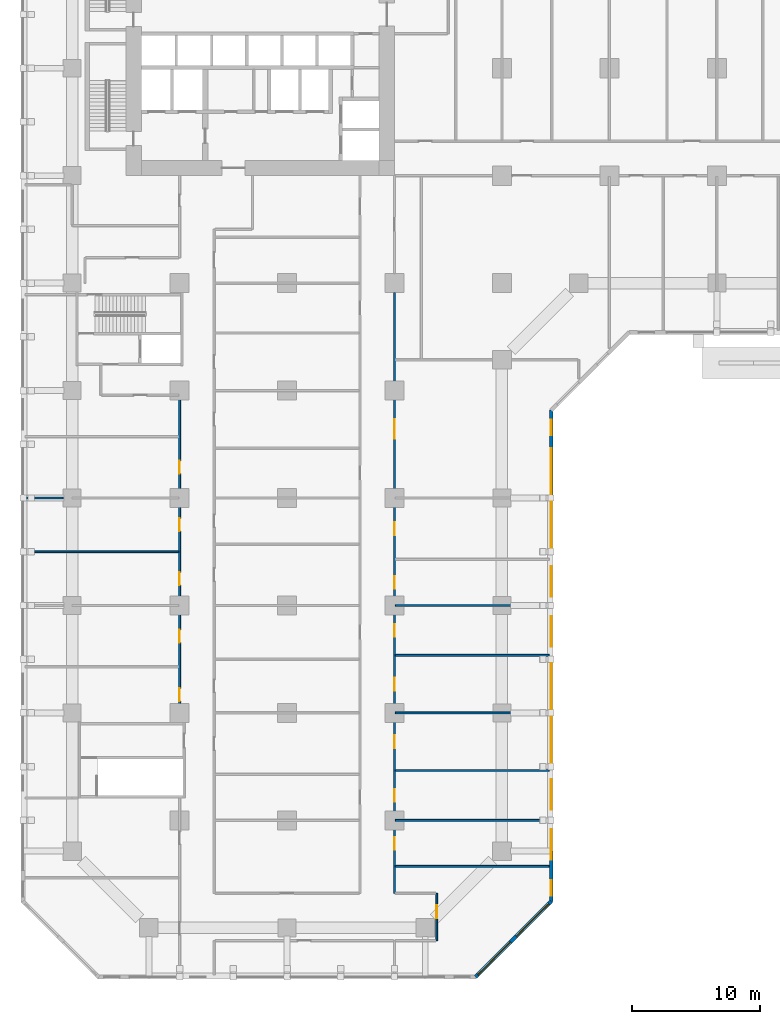
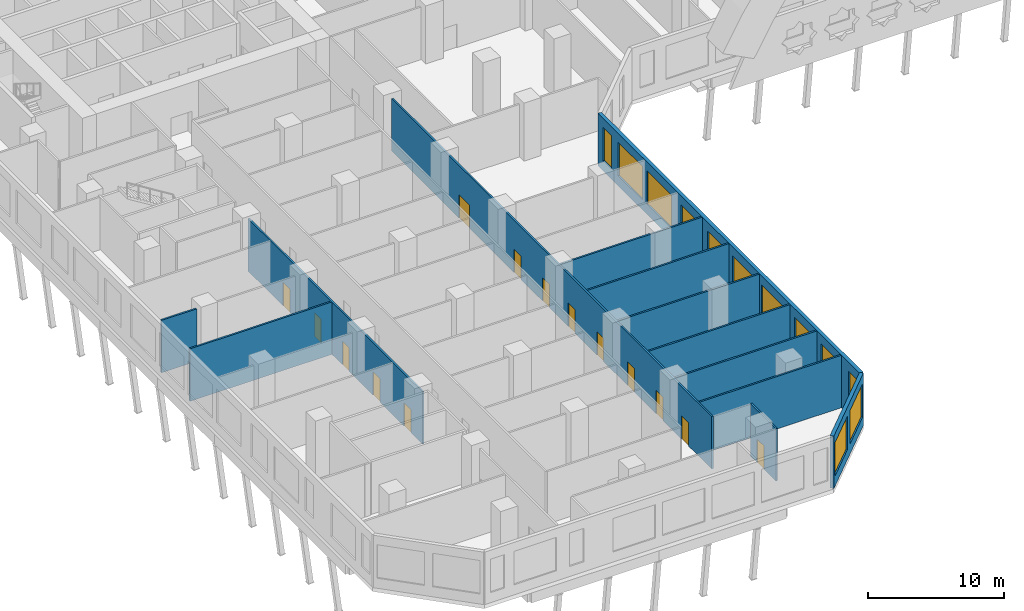
# One storey, part 5 of 25: 14 doors, 13 walls, 12 windows, 26 openings.
"""IFC4 building model written with IfcOpenShell, lengths in metres."""

from ifc_helpers import new_model, si_unit, direction, frame, frame_2d, origin, place, context, subcontext, project, spatial, rectangle, extrude, material, layer, layer_set, type_object, element, fill, save


model = new_model("IFC4")

# Units and contexts
model_context = context("Model", 3, precision=1e-05, world=origin(), true_north=direction((0.0, 1.0)))
body_context = subcontext(model_context, "Body", "Model", "MODEL_VIEW")
ifc_project = project(units=[si_unit("LENGTHUNIT", "METRE"), si_unit("AREAUNIT", "SQUARE_METRE"), si_unit("VOLUMEUNIT", "CUBIC_METRE"), si_unit("PLANEANGLEUNIT", "RADIAN"), si_unit("MASSUNIT", "GRAM", prefix="KILO")], contexts=[model_context])

# Site, building, storey
site_placement = place(None, origin())
site = spatial("IfcSite", under=ifc_project, at=site_placement, CompositionType="ELEMENT")
building_placement = place(site_placement, origin())
building = spatial("IfcBuilding", under=site, at=building_placement, Name="Kawkab Arch Medical Tower", CompositionType="ELEMENT")
storey_placement = place(building_placement, frame((0.0, 0.0, 29.0)))
storey = spatial("IfcBuildingStorey", under=building, at=storey_placement, Name="L06", CompositionType="ELEMENT", Elevation=29.0)

# Walls
ifc_material_1 = material(Name="Gypsum board partition on steel studs, mineral wool", Category="steel")
ifc_layer_1 = layer(ifc_material_1, 0.14990234375)
ifc_layer_set_1 = layer_set([ifc_layer_1], Name="Gypsum board partition on steel studs, mineral wool")
wall_type_1 = type_object("IfcWallType", Name="Partition 150", PredefinedType="PARTITIONING", material=ifc_layer_set_1)
for number, where, z_axis, x_axis, name in (
    (1, (25.27490234375, -79.199951171875, 0.0), (0.0, 0.0, 1.0), (1.0, 0.0, 0.0), "Partition 150 w007"),
    (2, (25.27490234375, -75.60009765625, 0.0), (0.0, 0.0, 1.0), (1.0, 0.0, 0.0), "Partition 150 w009"),
    (3, (25.27490234375, -71.699951171875, 0.0), (0.0, 0.0, 1.0), (1.0, 0.0, 0.0), "Partition 150 w013"),
    (4, (25.27490234375, -67.199951171875, 0.0), (0.0, 0.0, 1.0), (1.0, 0.0, 0.0), "Partition 150 w015"),
    (5, (25.27490234375, -62.699951171875, 0.0), (0.0, 0.0, 1.0), (1.0, 0.0, 0.0), "Partition 150 w018"),
    (6, (25.27490234375, -58.800048828125, 0.0), (0.0, 0.0, 1.0), (1.0, 0.0, 0.0), "Partition 150 w022"),
):
    element("IfcWall", number, at=place(storey_placement, frame(where, z_axis=z_axis, x_axis=x_axis)), inside=storey, type_object=wall_type_1, Name=name, PredefinedType="PARTITIONING", context=body_context, shape_type="SweptSolid", body=[
        extrude(rectangle(XDim=12.005126953125, YDim=0.14990234375, at=frame_2d((6.00244140625, 0.0))), origin(), (0.0, 0.0, 1.0), 4.699951171875),
    ])
wall_1_placement = place(storey_placement, frame((-3.679931640625, -54.60009765625, 0.0), z_axis=(0.0, 0.0, 1.0), x_axis=(1.0, 0.0, 0.0)))
element("IfcWall", 7, at=wall_1_placement, inside=storey, type_object=wall_type_1, Name="Partition 150 w024", PredefinedType="PARTITIONING", context=body_context, shape_type="SweptSolid", body=[
    extrude(rectangle(XDim=12.0048828125, YDim=0.14990234375, at=frame_2d((6.00244140625, 0.0))), origin(), (0.0, 0.0, 1.0), 4.699951171875),
])
wall_2_placement = place(storey_placement, frame((-3.679931640625, -50.39990234375, 0.0), z_axis=(0.0, 0.0, 1.0), x_axis=(1.0, 0.0, 0.0)))
element("IfcWall", 8, at=wall_2_placement, inside=storey, type_object=wall_type_1, Name="Partition 150 w026", PredefinedType="PARTITIONING", context=body_context, shape_type="SweptSolid", body=[
    extrude(rectangle(XDim=2.97998046875, YDim=0.14990234375, at=frame_2d((1.489990234375, 0.0))), origin(), (0.0, 0.0, 1.0), 4.699951171875),
])

# Wall, openings, doors
wall_3_placement = place(storey_placement, frame((8.39990234375, -67.947021484375, 0.0), z_axis=(0.0, 0.0, 1.0), x_axis=(0.0, 1.0, 0.0)))
wall_3 = element("IfcWall", 9, at=wall_3_placement, inside=storey, type_object=wall_type_1, Name="Partition 150 w062", PredefinedType="PARTITIONING", context=body_context, shape_type="SweptSolid", body=[
    extrude(rectangle(XDim=25.596923828125, YDim=0.14990234375, at=frame_2d((12.79833984375, 0.0))), origin(), (0.0, 0.0, 1.0), 4.699951171875),
])
opening_1_placement = place(wall_3_placement, frame((19.447021484375, 0.0, 0.0)))
opening_1 = element("IfcOpeningElement", 10, at=opening_1_placement, cuts=wall_3, Name="Opening P06-047", PredefinedType="OPENING", context=body_context, shape_type="SweptSolid", body=[
    extrude(rectangle(XDim=1.0, YDim=2.10009765625, at=frame_2d((0.5, 1.050048828125))), frame((0.0, 0.0849609375, 0.0), z_axis=(0.0, -1.0, 0.0), x_axis=(1.0, 0.0, 0.0)), (0.0, 0.0, 1.0), 0.169921875),
])
opening_2_placement = place(wall_3_placement, frame((14.947021484375, 0.0, 0.0)))
opening_2 = element("IfcOpeningElement", 11, at=opening_2_placement, cuts=wall_3, Name="Opening P06-048", PredefinedType="OPENING", context=body_context, shape_type="SweptSolid", body=[
    extrude(rectangle(XDim=1.0, YDim=2.10009765625, at=frame_2d((0.5, 1.050048828125))), frame((0.0, 0.0849609375, 0.0), z_axis=(0.0, -1.0, 0.0), x_axis=(1.0, 0.0, 0.0)), (0.0, 0.0, 1.0), 0.169921875),
])
opening_3_placement = place(wall_3_placement, frame((10.7470703125, 0.0, 0.0)))
opening_3 = element("IfcOpeningElement", 12, at=opening_3_placement, cuts=wall_3, Name="Opening P06-049", PredefinedType="OPENING", context=body_context, shape_type="SweptSolid", body=[
    extrude(rectangle(XDim=1.0, YDim=2.10009765625, at=frame_2d((0.5, 1.050048828125))), frame((0.0, 0.0849609375, 0.0), z_axis=(0.0, -1.0, 0.0), x_axis=(1.0, 0.0, 0.0)), (0.0, 0.0, 1.0), 0.169921875),
])
opening_4_placement = place(wall_3_placement, frame((6.2470703125, 0.0, 0.0)))
opening_4 = element("IfcOpeningElement", 13, at=opening_4_placement, cuts=wall_3, Name="Opening P06-050", PredefinedType="OPENING", context=body_context, shape_type="SweptSolid", body=[
    extrude(rectangle(XDim=1.0, YDim=2.10009765625, at=frame_2d((0.5, 1.050048828125))), frame((0.0, 0.0849609375, 0.0), z_axis=(0.0, -1.0, 0.0), x_axis=(1.0, 0.0, 0.0)), (0.0, 0.0, 1.0), 0.169921875),
])
opening_5_placement = place(wall_3_placement, frame((1.674072265625, 0.0, 0.0)))
opening_5 = element("IfcOpeningElement", 14, at=opening_5_placement, cuts=wall_3, Name="Opening P06-051", PredefinedType="OPENING", context=body_context, shape_type="SweptSolid", body=[
    extrude(rectangle(XDim=1.0, YDim=2.10009765625, at=frame_2d((0.5, 1.050048828125))), frame((0.0, 0.0849609375, 0.0), z_axis=(0.0, -1.0, 0.0), x_axis=(1.0, 0.0, 0.0)), (0.0, 0.0, 1.0), 0.169921875),
])
ifc_material_2 = material(Name="Hollow metal door leaf")
door_type_1 = type_object("IfcDoorType", Name="Single door 1000x2100 FD30S", OperationType="NOTDEFINED", PredefinedType="DOOR", material=ifc_material_2)
door_1_placement = place(opening_1_placement, origin())
door_1 = element("IfcDoor", 15, at=door_1_placement, inside=storey, type_object=door_type_1, Name="Door P06-047", OperationType="SINGLE_SWING_RIGHT", OverallHeight=2.10009765625, OverallWidth=1.0, PredefinedType="DOOR", context=body_context, shape_type="SweptSolid", body=[
    extrude(rectangle(XDim=1.0, YDim=2.10009765625, at=frame_2d((0.5, 1.050048828125))), frame((0.0, 0.02490234375, 0.0), z_axis=(0.0, -1.0, 0.0), x_axis=(1.0, 0.0, 0.0)), (0.0, 0.0, 1.0), 0.050048828125),
])
fill(opening_1, door_1)
door_2_placement = place(opening_2_placement, origin())
door_2 = element("IfcDoor", 16, at=door_2_placement, inside=storey, type_object=door_type_1, Name="Door P06-048", OperationType="SINGLE_SWING_RIGHT", OverallHeight=2.10009765625, OverallWidth=1.0, PredefinedType="DOOR", context=body_context, shape_type="SweptSolid", body=[
    extrude(rectangle(XDim=1.0, YDim=2.10009765625, at=frame_2d((0.5, 1.050048828125))), frame((0.0, 0.02490234375, 0.0), z_axis=(0.0, -1.0, 0.0), x_axis=(1.0, 0.0, 0.0)), (0.0, 0.0, 1.0), 0.050048828125),
])
fill(opening_2, door_2)
door_3_placement = place(opening_3_placement, origin())
door_3 = element("IfcDoor", 17, at=door_3_placement, inside=storey, type_object=door_type_1, Name="Door P06-049", OperationType="SINGLE_SWING_LEFT", OverallHeight=2.10009765625, OverallWidth=1.0, PredefinedType="DOOR", context=body_context, shape_type="SweptSolid", body=[
    extrude(rectangle(XDim=1.0, YDim=2.10009765625, at=frame_2d((0.5, 1.050048828125))), frame((0.0, 0.02490234375, 0.0), z_axis=(0.0, -1.0, 0.0), x_axis=(1.0, 0.0, 0.0)), (0.0, 0.0, 1.0), 0.050048828125),
])
fill(opening_3, door_3)
door_4_placement = place(opening_4_placement, origin())
door_4 = element("IfcDoor", 18, at=door_4_placement, inside=storey, type_object=door_type_1, Name="Door P06-050", OperationType="SINGLE_SWING_LEFT", OverallHeight=2.10009765625, OverallWidth=1.0, PredefinedType="DOOR", context=body_context, shape_type="SweptSolid", body=[
    extrude(rectangle(XDim=1.0, YDim=2.10009765625, at=frame_2d((0.5, 1.050048828125))), frame((0.0, 0.02490234375, 0.0), z_axis=(0.0, -1.0, 0.0), x_axis=(1.0, 0.0, 0.0)), (0.0, 0.0, 1.0), 0.050048828125),
])
fill(opening_4, door_4)
door_5_placement = place(opening_5_placement, origin())
door_5 = element("IfcDoor", 19, at=door_5_placement, inside=storey, type_object=door_type_1, Name="Door P06-051", OperationType="SINGLE_SWING_LEFT", OverallHeight=2.10009765625, OverallWidth=1.0, PredefinedType="DOOR", context=body_context, shape_type="SweptSolid", body=[
    extrude(rectangle(XDim=1.0, YDim=2.10009765625, at=frame_2d((0.5, 1.050048828125))), frame((0.0, 0.02490234375, 0.0), z_axis=(0.0, -1.0, 0.0), x_axis=(1.0, 0.0, 0.0)), (0.0, 0.0, 1.0), 0.050048828125),
])
fill(opening_5, door_5)

wall_4_placement = place(storey_placement, frame((25.199951171875, -81.300048828125, 0.0), z_axis=(0.0, 0.0, 1.0), x_axis=(0.0, 1.0, 0.0)))
wall_4 = element("IfcWall", 20, at=wall_4_placement, inside=storey, type_object=wall_type_1, Name="Partition 150 w069", PredefinedType="PARTITIONING", context=body_context, shape_type="SweptSolid", body=[
    extrude(rectangle(XDim=46.949951171875, YDim=0.14990234375, at=frame_2d((23.47509765625, 0.0))), origin(), (0.0, 0.0, 1.0), 4.699951171875),
])
opening_6_placement = place(wall_4_placement, frame((35.550048828125, 0.0, 0.0)))
opening_6 = element("IfcOpeningElement", 21, at=opening_6_placement, cuts=wall_4, Name="Opening P06-015", PredefinedType="OPENING", context=body_context, shape_type="SweptSolid", body=[
    extrude(rectangle(XDim=1.5, YDim=2.10009765625, at=frame_2d((0.75, 1.050048828125))), frame((0.0, 0.0849609375, 0.0), z_axis=(0.0, -1.0, 0.0), x_axis=(1.0, 0.0, 0.0)), (0.0, 0.0, 1.0), 0.169921875),
])
opening_7_placement = place(wall_4_placement, frame((28.0, 0.0, 0.0)))
opening_7 = element("IfcOpeningElement", 22, at=opening_7_placement, cuts=wall_4, Name="Opening P06-065", PredefinedType="OPENING", context=body_context, shape_type="SweptSolid", body=[
    extrude(rectangle(XDim=1.0, YDim=2.10009765625, at=frame_2d((0.5, 1.050048828125))), frame((0.0, 0.0849609375, 0.0), z_axis=(0.0, -1.0, 0.0), x_axis=(1.0, 0.0, 0.0)), (0.0, 0.0, 1.0), 0.169921875),
])
opening_8_placement = place(wall_4_placement, frame((23.800048828125, 0.0, 0.0)))
opening_8 = element("IfcOpeningElement", 23, at=opening_8_placement, cuts=wall_4, Name="Opening P06-066", PredefinedType="OPENING", context=body_context, shape_type="SweptSolid", body=[
    extrude(rectangle(XDim=1.0, YDim=2.10009765625, at=frame_2d((0.5, 1.050048828125))), frame((0.0, 0.0849609375, 0.0), z_axis=(0.0, -1.0, 0.0), x_axis=(1.0, 0.0, 0.0)), (0.0, 0.0, 1.0), 0.169921875),
])
opening_9_placement = place(wall_4_placement, frame((20.050048828125, 0.0, 0.0)))
opening_9 = element("IfcOpeningElement", 24, at=opening_9_placement, cuts=wall_4, Name="Opening P06-067", PredefinedType="OPENING", context=body_context, shape_type="SweptSolid", body=[
    extrude(rectangle(XDim=1.0, YDim=2.10009765625, at=frame_2d((0.5, 1.050048828125))), frame((0.0, 0.0849609375, 0.0), z_axis=(0.0, -1.0, 0.0), x_axis=(1.0, 0.0, 0.0)), (0.0, 0.0, 1.0), 0.169921875),
])
opening_10_placement = place(wall_4_placement, frame((15.85009765625, 0.0, 0.0)))
opening_10 = element("IfcOpeningElement", 25, at=opening_10_placement, cuts=wall_4, Name="Opening P06-068", PredefinedType="OPENING", context=body_context, shape_type="SweptSolid", body=[
    extrude(rectangle(XDim=1.0, YDim=2.10009765625, at=frame_2d((0.5, 1.050048828125))), frame((0.0, 0.0849609375, 0.0), z_axis=(0.0, -1.0, 0.0), x_axis=(1.0, 0.0, 0.0)), (0.0, 0.0, 1.0), 0.169921875),
])
opening_11_placement = place(wall_4_placement, frame((11.35009765625, 0.0, 0.0)))
opening_11 = element("IfcOpeningElement", 26, at=opening_11_placement, cuts=wall_4, Name="Opening P06-069", PredefinedType="OPENING", context=body_context, shape_type="SweptSolid", body=[
    extrude(rectangle(XDim=1.0, YDim=2.10009765625, at=frame_2d((0.5, 1.050048828125))), frame((0.0, 0.0849609375, 0.0), z_axis=(0.0, -1.0, 0.0), x_axis=(1.0, 0.0, 0.0)), (0.0, 0.0, 1.0), 0.169921875),
])
opening_12_placement = place(wall_4_placement, frame((7.14990234375, 0.0, 0.0)))
opening_12 = element("IfcOpeningElement", 27, at=opening_12_placement, cuts=wall_4, Name="Opening P06-070", PredefinedType="OPENING", context=body_context, shape_type="SweptSolid", body=[
    extrude(rectangle(XDim=1.0, YDim=2.10009765625, at=frame_2d((0.5, 1.050048828125))), frame((0.0, 0.0849609375, 0.0), z_axis=(0.0, -1.0, 0.0), x_axis=(1.0, 0.0, 0.0)), (0.0, 0.0, 1.0), 0.169921875),
])
opening_13_placement = place(wall_4_placement, frame((3.39990234375, 0.0, 0.0)))
opening_13 = element("IfcOpeningElement", 28, at=opening_13_placement, cuts=wall_4, Name="Opening P06-071", PredefinedType="OPENING", context=body_context, shape_type="SweptSolid", body=[
    extrude(rectangle(XDim=1.0, YDim=2.10009765625, at=frame_2d((0.5, 1.050048828125))), frame((0.0, 0.0849609375, 0.0), z_axis=(0.0, -1.0, 0.0), x_axis=(1.0, 0.0, 0.0)), (0.0, 0.0, 1.0), 0.169921875),
])
ifc_material_3 = material(Name="Hollow metal door leaf")
door_type_2 = type_object("IfcDoorType", Name="Double door 1500x2100 FD30S", OperationType="NOTDEFINED", PredefinedType="DOOR", material=ifc_material_3)
door_6_placement = place(opening_6_placement, origin())
door_6 = element("IfcDoor", 29, at=door_6_placement, inside=storey, type_object=door_type_2, Name="Door P06-015", OperationType="DOUBLE_DOOR_SINGLE_SWING", OverallHeight=2.10009765625, OverallWidth=1.5, PredefinedType="DOOR", context=body_context, shape_type="SweptSolid", body=[
    extrude(rectangle(XDim=1.5, YDim=2.10009765625, at=frame_2d((0.75, 1.050048828125))), frame((0.0, 0.02490234375, 0.0), z_axis=(0.0, -1.0, 0.0), x_axis=(1.0, 0.0, 0.0)), (0.0, 0.0, 1.0), 0.050048828125),
])
fill(opening_6, door_6)
door_7_placement = place(opening_7_placement, origin())
door_7 = element("IfcDoor", 30, at=door_7_placement, inside=storey, type_object=door_type_1, Name="Door P06-065", OperationType="SINGLE_SWING_LEFT", OverallHeight=2.10009765625, OverallWidth=1.0, PredefinedType="DOOR", context=body_context, shape_type="SweptSolid", body=[
    extrude(rectangle(XDim=1.0, YDim=2.10009765625, at=frame_2d((0.5, 1.050048828125))), frame((0.0, 0.02490234375, 0.0), z_axis=(0.0, -1.0, 0.0), x_axis=(1.0, 0.0, 0.0)), (0.0, 0.0, 1.0), 0.050048828125),
])
fill(opening_7, door_7)
door_8_placement = place(opening_8_placement, origin())
door_8 = element("IfcDoor", 31, at=door_8_placement, inside=storey, type_object=door_type_1, Name="Door P06-066", OperationType="SINGLE_SWING_LEFT", OverallHeight=2.10009765625, OverallWidth=1.0, PredefinedType="DOOR", context=body_context, shape_type="SweptSolid", body=[
    extrude(rectangle(XDim=1.0, YDim=2.10009765625, at=frame_2d((0.5, 1.050048828125))), frame((0.0, 0.02490234375, 0.0), z_axis=(0.0, -1.0, 0.0), x_axis=(1.0, 0.0, 0.0)), (0.0, 0.0, 1.0), 0.050048828125),
])
fill(opening_8, door_8)
door_9_placement = place(opening_9_placement, origin())
door_9 = element("IfcDoor", 32, at=door_9_placement, inside=storey, type_object=door_type_1, Name="Door P06-067", OperationType="SINGLE_SWING_RIGHT", OverallHeight=2.10009765625, OverallWidth=1.0, PredefinedType="DOOR", context=body_context, shape_type="SweptSolid", body=[
    extrude(rectangle(XDim=1.0, YDim=2.10009765625, at=frame_2d((0.5, 1.050048828125))), frame((0.0, 0.02490234375, 0.0), z_axis=(0.0, -1.0, 0.0), x_axis=(1.0, 0.0, 0.0)), (0.0, 0.0, 1.0), 0.050048828125),
])
fill(opening_9, door_9)
door_10_placement = place(opening_10_placement, origin())
door_10 = element("IfcDoor", 33, at=door_10_placement, inside=storey, type_object=door_type_1, Name="Door P06-068", OperationType="SINGLE_SWING_RIGHT", OverallHeight=2.10009765625, OverallWidth=1.0, PredefinedType="DOOR", context=body_context, shape_type="SweptSolid", body=[
    extrude(rectangle(XDim=1.0, YDim=2.10009765625, at=frame_2d((0.5, 1.050048828125))), frame((0.0, 0.02490234375, 0.0), z_axis=(0.0, -1.0, 0.0), x_axis=(1.0, 0.0, 0.0)), (0.0, 0.0, 1.0), 0.050048828125),
])
fill(opening_10, door_10)
door_11_placement = place(opening_11_placement, origin())
door_11 = element("IfcDoor", 34, at=door_11_placement, inside=storey, type_object=door_type_1, Name="Door P06-069", OperationType="SINGLE_SWING_RIGHT", OverallHeight=2.10009765625, OverallWidth=1.0, PredefinedType="DOOR", context=body_context, shape_type="SweptSolid", body=[
    extrude(rectangle(XDim=1.0, YDim=2.10009765625, at=frame_2d((0.5, 1.050048828125))), frame((0.0, 0.02490234375, 0.0), z_axis=(0.0, -1.0, 0.0), x_axis=(1.0, 0.0, 0.0)), (0.0, 0.0, 1.0), 0.050048828125),
])
fill(opening_11, door_11)
door_12_placement = place(opening_12_placement, origin())
door_12 = element("IfcDoor", 35, at=door_12_placement, inside=storey, type_object=door_type_1, Name="Door P06-070", OperationType="SINGLE_SWING_RIGHT", OverallHeight=2.10009765625, OverallWidth=1.0, PredefinedType="DOOR", context=body_context, shape_type="SweptSolid", body=[
    extrude(rectangle(XDim=1.0, YDim=2.10009765625, at=frame_2d((0.5, 1.050048828125))), frame((0.0, 0.02490234375, 0.0), z_axis=(0.0, -1.0, 0.0), x_axis=(1.0, 0.0, 0.0)), (0.0, 0.0, 1.0), 0.050048828125),
])
fill(opening_12, door_12)
door_13_placement = place(opening_13_placement, origin())
door_13 = element("IfcDoor", 36, at=door_13_placement, inside=storey, type_object=door_type_1, Name="Door P06-071", OperationType="SINGLE_SWING_RIGHT", OverallHeight=2.10009765625, OverallWidth=1.0, PredefinedType="DOOR", context=body_context, shape_type="SweptSolid", body=[
    extrude(rectangle(XDim=1.0, YDim=2.10009765625, at=frame_2d((0.5, 1.050048828125))), frame((0.0, 0.02490234375, 0.0), z_axis=(0.0, -1.0, 0.0), x_axis=(1.0, 0.0, 0.0)), (0.0, 0.0, 1.0), 0.050048828125),
])
fill(opening_13, door_13)

# Wall, opening, door
wall_5_placement = place(storey_placement, frame((28.5, -85.0, 0.0), z_axis=(0.0, 0.0, 1.0), x_axis=(0.0, 1.0, 0.0)))
wall_5 = element("IfcWall", 37, at=wall_5_placement, inside=storey, type_object=wall_type_1, Name="Partition 150 w072", PredefinedType="PARTITIONING", context=body_context, shape_type="SweptSolid", body=[
    extrude(rectangle(XDim=3.699951171875, YDim=0.14990234375, at=frame_2d((1.85009765625, 0.0))), origin(), (0.0, 0.0, 1.0), 4.699951171875),
])
opening_14_placement = place(wall_5_placement, frame((1.75, 0.0, 0.0)))
opening_14 = element("IfcOpeningElement", 38, at=opening_14_placement, cuts=wall_5, Name="Opening P06-072", PredefinedType="OPENING", context=body_context, shape_type="SweptSolid", body=[
    extrude(rectangle(XDim=1.0, YDim=2.10009765625, at=frame_2d((0.5, 1.050048828125))), frame((0.0, 0.0849609375, 0.0), z_axis=(0.0, -1.0, 0.0), x_axis=(1.0, 0.0, 0.0)), (0.0, 0.0, 1.0), 0.169921875),
])
door_14_placement = place(opening_14_placement, origin())
door_14 = element("IfcDoor", 39, at=door_14_placement, inside=storey, type_object=door_type_1, Name="Door P06-072", OperationType="SINGLE_SWING_LEFT", OverallHeight=2.10009765625, OverallWidth=1.0, PredefinedType="DOOR", context=body_context, shape_type="SweptSolid", body=[
    extrude(rectangle(XDim=1.0, YDim=2.10009765625, at=frame_2d((0.5, 1.050048828125))), frame((0.0, 0.02490234375, 0.0), z_axis=(0.0, -1.0, 0.0), x_axis=(1.0, 0.0, 0.0)), (0.0, 0.0, 1.0), 0.050048828125),
])
fill(opening_14, door_14)

# Wall, openings, windows
ifc_material_4 = material(Name="Bronze clad insulated wall panel")
ifc_layer_2 = layer(ifc_material_4, 0.300048828125)
ifc_layer_set_2 = layer_set([ifc_layer_2], Name="Bronze clad insulated wall panel")
wall_type_2 = type_object("IfcWallType", Name="Podium external wall 300", PredefinedType="SOLIDWALL", material=ifc_layer_set_2)
wall_6_placement = place(storey_placement, frame((31.537841796875, -87.85009765625, 0.0), z_axis=(0.0, 0.0, 1.0), x_axis=(0.707106781187, 0.707106781187, 0.0)))
wall_6 = element("IfcWall", 40, at=wall_6_placement, inside=storey, type_object=wall_type_2, Name="Podium external wall L06 R04", PredefinedType="SOLIDWALL", context=body_context, shape_type="SweptSolid", body=[
    extrude(rectangle(XDim=8.361083984375, YDim=0.300048828125, at=frame_2d((4.1806640625, 0.0))), origin(), (0.0, 0.0, 1.0), 4.699951171875),
])
opening_15_placement = place(wall_6_placement, frame((0.259033203125, 0.0, 0.89990234375)))
opening_15 = element("IfcOpeningElement", 41, at=opening_15_placement, cuts=wall_6, Name="Opening PBW360-30-S9", PredefinedType="OPENING", context=body_context, shape_type="SweptSolid", body=[
    extrude(rectangle(XDim=3.60009765625, YDim=3.0, at=frame_2d((1.800048828125, 1.5))), frame((0.0, 0.159912109375, 0.0), z_axis=(0.0, -1.0, 0.0), x_axis=(1.0, 0.0, 0.0)), (0.0, 0.0, 1.0), 0.320068359375),
])
opening_16_placement = place(wall_6_placement, frame((4.501708984375, 0.0, 0.89990234375)))
opening_16 = element("IfcOpeningElement", 42, at=opening_16_placement, cuts=wall_6, Name="Opening PBW360-30-S9", PredefinedType="OPENING", context=body_context, shape_type="SweptSolid", body=[
    extrude(rectangle(XDim=3.60009765625, YDim=3.0, at=frame_2d((1.800048828125, 1.5))), frame((0.0, 0.159912109375, 0.0), z_axis=(0.0, -1.0, 0.0), x_axis=(1.0, 0.0, 0.0)), (0.0, 0.0, 1.0), 0.320068359375),
])
ifc_material_5 = material(Name="Bronze anodised aluminium louvred window", Category="aluminium")
window_type_1 = type_object("IfcWindowType", Name="Podium band window 3600 x 3000 sill 900", PartitioningType="DOUBLE_PANEL_VERTICAL", PredefinedType="WINDOW", material=ifc_material_5)
window_1_placement = place(opening_15_placement, origin())
window_1 = element("IfcWindow", 43, at=window_1_placement, inside=storey, type_object=window_type_1, Name="Band window L06 R04.1", OverallHeight=3.0, OverallWidth=3.60009765625, PartitioningType="SINGLE_PANEL", PredefinedType="WINDOW", context=body_context, shape_type="SweptSolid", body=[
    extrude(rectangle(XDim=3.60009765625, YDim=3.0, at=frame_2d((1.800048828125, 1.5))), frame((0.0, 0.030029296875, 0.0), z_axis=(0.0, -1.0, 0.0), x_axis=(1.0, 0.0, 0.0)), (0.0, 0.0, 1.0), 0.06005859375),
])
fill(opening_15, window_1)
window_2_placement = place(opening_16_placement, origin())
window_2 = element("IfcWindow", 44, at=window_2_placement, inside=storey, type_object=window_type_1, Name="Band window L06 R04.2", OverallHeight=3.0, OverallWidth=3.60009765625, PartitioningType="SINGLE_PANEL", PredefinedType="WINDOW", context=body_context, shape_type="SweptSolid", body=[
    extrude(rectangle(XDim=3.60009765625, YDim=3.0, at=frame_2d((1.800048828125, 1.5))), frame((0.0, 0.030029296875, 0.0), z_axis=(0.0, -1.0, 0.0), x_axis=(1.0, 0.0, 0.0)), (0.0, 0.0, 1.0), 0.06005859375),
])
fill(opening_16, window_2)

wall_7_placement = place(storey_placement, frame((37.449951171875, -81.93798828125, 0.0), z_axis=(0.0, 0.0, 1.0), x_axis=(0.0, 1.0, 0.0)))
wall_7 = element("IfcWall", 45, at=wall_7_placement, inside=storey, type_object=wall_type_2, Name="Podium external wall L06 R05", PredefinedType="SOLIDWALL", context=body_context, shape_type="SweptSolid", body=[
    extrude(rectangle(XDim=38.400146484375, YDim=0.300048828125, at=frame_2d((19.2001953125, 0.0))), origin(), (0.0, 0.0, 1.0), 4.699951171875),
])
opening_17_placement = place(wall_7_placement, frame((0.43798828125, 0.0, 0.89990234375)))
opening_17 = element("IfcOpeningElement", 46, at=opening_17_placement, cuts=wall_7, Name="Opening PBW120-30-S9", PredefinedType="OPENING", context=body_context, shape_type="SweptSolid", body=[
    extrude(rectangle(XDim=1.199951171875, YDim=3.0, at=frame_2d((0.60009765625, 1.5))), frame((0.0, 0.159912109375, 0.0), z_axis=(0.0, -1.0, 0.0), x_axis=(1.0, 0.0, 0.0)), (0.0, 0.0, 1.0), 0.320068359375),
])
opening_18_placement = place(wall_7_placement, frame((3.262939453125, 0.0, 0.89990234375)))
opening_18 = element("IfcOpeningElement", 47, at=opening_18_placement, cuts=wall_7, Name="Opening PBW240-30-S9", PredefinedType="OPENING", context=body_context, shape_type="SweptSolid", body=[
    extrude(rectangle(XDim=2.39990234375, YDim=3.0, at=frame_2d((1.199951171875, 1.5))), frame((0.0, 0.159912109375, 0.0), z_axis=(0.0, -1.0, 0.0), x_axis=(1.0, 0.0, 0.0)), (0.0, 0.0, 1.0), 0.320068359375),
])
opening_19_placement = place(wall_7_placement, frame((7.162841796875, 0.0, 0.89990234375)))
opening_19 = element("IfcOpeningElement", 48, at=opening_19_placement, cuts=wall_7, Name="Opening PBW240-30-S9", PredefinedType="OPENING", context=body_context, shape_type="SweptSolid", body=[
    extrude(rectangle(XDim=2.39990234375, YDim=3.0, at=frame_2d((1.199951171875, 1.5))), frame((0.0, 0.159912109375, 0.0), z_axis=(0.0, -1.0, 0.0), x_axis=(1.0, 0.0, 0.0)), (0.0, 0.0, 1.0), 0.320068359375),
])
opening_20_placement = place(wall_7_placement, frame((10.837890625, 0.0, 0.89990234375)))
opening_20 = element("IfcOpeningElement", 49, at=opening_20_placement, cuts=wall_7, Name="Opening PBW360-30-S9", PredefinedType="OPENING", context=body_context, shape_type="SweptSolid", body=[
    extrude(rectangle(XDim=3.60009765625, YDim=3.0, at=frame_2d((1.800048828125, 1.5))), frame((0.0, 0.159912109375, 0.0), z_axis=(0.0, -1.0, 0.0), x_axis=(1.0, 0.0, 0.0)), (0.0, 0.0, 1.0), 0.320068359375),
])
opening_21_placement = place(wall_7_placement, frame((15.037841796875, 0.0, 0.89990234375)))
opening_21 = element("IfcOpeningElement", 50, at=opening_21_placement, cuts=wall_7, Name="Opening PBW360-30-S9", PredefinedType="OPENING", context=body_context, shape_type="SweptSolid", body=[
    extrude(rectangle(XDim=3.60009765625, YDim=3.0, at=frame_2d((1.800048828125, 1.5))), frame((0.0, 0.159912109375, 0.0), z_axis=(0.0, -1.0, 0.0), x_axis=(1.0, 0.0, 0.0)), (0.0, 0.0, 1.0), 0.320068359375),
])
opening_22_placement = place(wall_7_placement, frame((19.912841796875, 0.0, 0.89990234375)))
opening_22 = element("IfcOpeningElement", 51, at=opening_22_placement, cuts=wall_7, Name="Opening PBW240-30-S9", PredefinedType="OPENING", context=body_context, shape_type="SweptSolid", body=[
    extrude(rectangle(XDim=2.39990234375, YDim=3.0, at=frame_2d((1.199951171875, 1.5))), frame((0.0, 0.159912109375, 0.0), z_axis=(0.0, -1.0, 0.0), x_axis=(1.0, 0.0, 0.0)), (0.0, 0.0, 1.0), 0.320068359375),
])
opening_23_placement = place(wall_7_placement, frame((23.81298828125, 0.0, 0.89990234375)))
opening_23 = element("IfcOpeningElement", 52, at=opening_23_placement, cuts=wall_7, Name="Opening PBW240-30-S9", PredefinedType="OPENING", context=body_context, shape_type="SweptSolid", body=[
    extrude(rectangle(XDim=2.39990234375, YDim=3.0, at=frame_2d((1.199951171875, 1.5))), frame((0.0, 0.159912109375, 0.0), z_axis=(0.0, -1.0, 0.0), x_axis=(1.0, 0.0, 0.0)), (0.0, 0.0, 1.0), 0.320068359375),
])
opening_24_placement = place(wall_7_placement, frame((27.637939453125, 0.0, 0.89990234375)))
opening_24 = element("IfcOpeningElement", 53, at=opening_24_placement, cuts=wall_7, Name="Opening PBW360-30-S9", PredefinedType="OPENING", context=body_context, shape_type="SweptSolid", body=[
    extrude(rectangle(XDim=3.60009765625, YDim=3.0, at=frame_2d((1.800048828125, 1.5))), frame((0.0, 0.159912109375, 0.0), z_axis=(0.0, -1.0, 0.0), x_axis=(1.0, 0.0, 0.0)), (0.0, 0.0, 1.0), 0.320068359375),
])
opening_25_placement = place(wall_7_placement, frame((31.837890625, 0.0, 0.89990234375)))
opening_25 = element("IfcOpeningElement", 54, at=opening_25_placement, cuts=wall_7, Name="Opening PBW360-30-S9", PredefinedType="OPENING", context=body_context, shape_type="SweptSolid", body=[
    extrude(rectangle(XDim=3.60009765625, YDim=3.0, at=frame_2d((1.800048828125, 1.5))), frame((0.0, 0.159912109375, 0.0), z_axis=(0.0, -1.0, 0.0), x_axis=(1.0, 0.0, 0.0)), (0.0, 0.0, 1.0), 0.320068359375),
])
opening_26_placement = place(wall_7_placement, frame((36.43798828125, 0.0, 0.89990234375)))
opening_26 = element("IfcOpeningElement", 55, at=opening_26_placement, cuts=wall_7, Name="Opening PBW120-30-S9", PredefinedType="OPENING", context=body_context, shape_type="SweptSolid", body=[
    extrude(rectangle(XDim=1.199951171875, YDim=3.0, at=frame_2d((0.60009765625, 1.5))), frame((0.0, 0.159912109375, 0.0), z_axis=(0.0, -1.0, 0.0), x_axis=(1.0, 0.0, 0.0)), (0.0, 0.0, 1.0), 0.320068359375),
])
ifc_material_6 = material(Name="Bronze anodised aluminium louvred window", Category="aluminium")
window_type_2 = type_object("IfcWindowType", Name="Podium band window 1200 x 3000 sill 900", PartitioningType="DOUBLE_PANEL_VERTICAL", PredefinedType="WINDOW", material=ifc_material_6)
window_3_placement = place(opening_17_placement, origin())
window_3 = element("IfcWindow", 56, at=window_3_placement, inside=storey, type_object=window_type_2, Name="Band window L06 R05.1", OverallHeight=3.0, OverallWidth=1.199951171875, PartitioningType="SINGLE_PANEL", PredefinedType="WINDOW", context=body_context, shape_type="SweptSolid", body=[
    extrude(rectangle(XDim=1.199951171875, YDim=3.0, at=frame_2d((0.60009765625, 1.5))), frame((0.0, 0.030029296875, 0.0), z_axis=(0.0, -1.0, 0.0), x_axis=(1.0, 0.0, 0.0)), (0.0, 0.0, 1.0), 0.06005859375),
])
fill(opening_17, window_3)
window_4_placement = place(opening_26_placement, origin())
window_4 = element("IfcWindow", 57, at=window_4_placement, inside=storey, type_object=window_type_2, Name="Band window L06 R05.10", OverallHeight=3.0, OverallWidth=1.199951171875, PartitioningType="SINGLE_PANEL", PredefinedType="WINDOW", context=body_context, shape_type="SweptSolid", body=[
    extrude(rectangle(XDim=1.199951171875, YDim=3.0, at=frame_2d((0.60009765625, 1.5))), frame((0.0, 0.030029296875, 0.0), z_axis=(0.0, -1.0, 0.0), x_axis=(1.0, 0.0, 0.0)), (0.0, 0.0, 1.0), 0.06005859375),
])
fill(opening_26, window_4)
ifc_material_7 = material(Name="Bronze anodised aluminium louvred window", Category="aluminium")
window_type_3 = type_object("IfcWindowType", Name="Podium band window 2400 x 3000 sill 900", PartitioningType="DOUBLE_PANEL_VERTICAL", PredefinedType="WINDOW", material=ifc_material_7)
window_5_placement = place(opening_18_placement, origin())
window_5 = element("IfcWindow", 58, at=window_5_placement, inside=storey, type_object=window_type_3, Name="Band window L06 R05.2", OverallHeight=3.0, OverallWidth=2.39990234375, PartitioningType="SINGLE_PANEL", PredefinedType="WINDOW", context=body_context, shape_type="SweptSolid", body=[
    extrude(rectangle(XDim=2.39990234375, YDim=3.0, at=frame_2d((1.199951171875, 1.5))), frame((0.0, 0.030029296875, 0.0), z_axis=(0.0, -1.0, 0.0), x_axis=(1.0, 0.0, 0.0)), (0.0, 0.0, 1.0), 0.06005859375),
])
fill(opening_18, window_5)
window_6_placement = place(opening_19_placement, origin())
window_6 = element("IfcWindow", 59, at=window_6_placement, inside=storey, type_object=window_type_3, Name="Band window L06 R05.3", OverallHeight=3.0, OverallWidth=2.39990234375, PartitioningType="SINGLE_PANEL", PredefinedType="WINDOW", context=body_context, shape_type="SweptSolid", body=[
    extrude(rectangle(XDim=2.39990234375, YDim=3.0, at=frame_2d((1.199951171875, 1.5))), frame((0.0, 0.030029296875, 0.0), z_axis=(0.0, -1.0, 0.0), x_axis=(1.0, 0.0, 0.0)), (0.0, 0.0, 1.0), 0.06005859375),
])
fill(opening_19, window_6)
window_7_placement = place(opening_22_placement, origin())
window_7 = element("IfcWindow", 60, at=window_7_placement, inside=storey, type_object=window_type_3, Name="Band window L06 R05.6", OverallHeight=3.0, OverallWidth=2.39990234375, PartitioningType="SINGLE_PANEL", PredefinedType="WINDOW", context=body_context, shape_type="SweptSolid", body=[
    extrude(rectangle(XDim=2.39990234375, YDim=3.0, at=frame_2d((1.199951171875, 1.5))), frame((0.0, 0.030029296875, 0.0), z_axis=(0.0, -1.0, 0.0), x_axis=(1.0, 0.0, 0.0)), (0.0, 0.0, 1.0), 0.06005859375),
])
fill(opening_22, window_7)
window_8_placement = place(opening_23_placement, origin())
window_8 = element("IfcWindow", 61, at=window_8_placement, inside=storey, type_object=window_type_3, Name="Band window L06 R05.7", OverallHeight=3.0, OverallWidth=2.39990234375, PartitioningType="SINGLE_PANEL", PredefinedType="WINDOW", context=body_context, shape_type="SweptSolid", body=[
    extrude(rectangle(XDim=2.39990234375, YDim=3.0, at=frame_2d((1.199951171875, 1.5))), frame((0.0, 0.030029296875, 0.0), z_axis=(0.0, -1.0, 0.0), x_axis=(1.0, 0.0, 0.0)), (0.0, 0.0, 1.0), 0.06005859375),
])
fill(opening_23, window_8)
window_9_placement = place(opening_20_placement, origin())
window_9 = element("IfcWindow", 62, at=window_9_placement, inside=storey, type_object=window_type_1, Name="Band window L06 R05.4", OverallHeight=3.0, OverallWidth=3.60009765625, PartitioningType="SINGLE_PANEL", PredefinedType="WINDOW", context=body_context, shape_type="SweptSolid", body=[
    extrude(rectangle(XDim=3.60009765625, YDim=3.0, at=frame_2d((1.800048828125, 1.5))), frame((0.0, 0.030029296875, 0.0), z_axis=(0.0, -1.0, 0.0), x_axis=(1.0, 0.0, 0.0)), (0.0, 0.0, 1.0), 0.06005859375),
])
fill(opening_20, window_9)
window_10_placement = place(opening_21_placement, origin())
window_10 = element("IfcWindow", 63, at=window_10_placement, inside=storey, type_object=window_type_1, Name="Band window L06 R05.5", OverallHeight=3.0, OverallWidth=3.60009765625, PartitioningType="SINGLE_PANEL", PredefinedType="WINDOW", context=body_context, shape_type="SweptSolid", body=[
    extrude(rectangle(XDim=3.60009765625, YDim=3.0, at=frame_2d((1.800048828125, 1.5))), frame((0.0, 0.030029296875, 0.0), z_axis=(0.0, -1.0, 0.0), x_axis=(1.0, 0.0, 0.0)), (0.0, 0.0, 1.0), 0.06005859375),
])
fill(opening_21, window_10)
window_11_placement = place(opening_24_placement, origin())
window_11 = element("IfcWindow", 64, at=window_11_placement, inside=storey, type_object=window_type_1, Name="Band window L06 R05.8", OverallHeight=3.0, OverallWidth=3.60009765625, PartitioningType="SINGLE_PANEL", PredefinedType="WINDOW", context=body_context, shape_type="SweptSolid", body=[
    extrude(rectangle(XDim=3.60009765625, YDim=3.0, at=frame_2d((1.800048828125, 1.5))), frame((0.0, 0.030029296875, 0.0), z_axis=(0.0, -1.0, 0.0), x_axis=(1.0, 0.0, 0.0)), (0.0, 0.0, 1.0), 0.06005859375),
])
fill(opening_24, window_11)
window_12_placement = place(opening_25_placement, origin())
window_12 = element("IfcWindow", 65, at=window_12_placement, inside=storey, type_object=window_type_1, Name="Band window L06 R05.9", OverallHeight=3.0, OverallWidth=3.60009765625, PartitioningType="SINGLE_PANEL", PredefinedType="WINDOW", context=body_context, shape_type="SweptSolid", body=[
    extrude(rectangle(XDim=3.60009765625, YDim=3.0, at=frame_2d((1.800048828125, 1.5))), frame((0.0, 0.030029296875, 0.0), z_axis=(0.0, -1.0, 0.0), x_axis=(1.0, 0.0, 0.0)), (0.0, 0.0, 1.0), 0.06005859375),
])
fill(opening_25, window_12)

save(model, "model.ifc")
